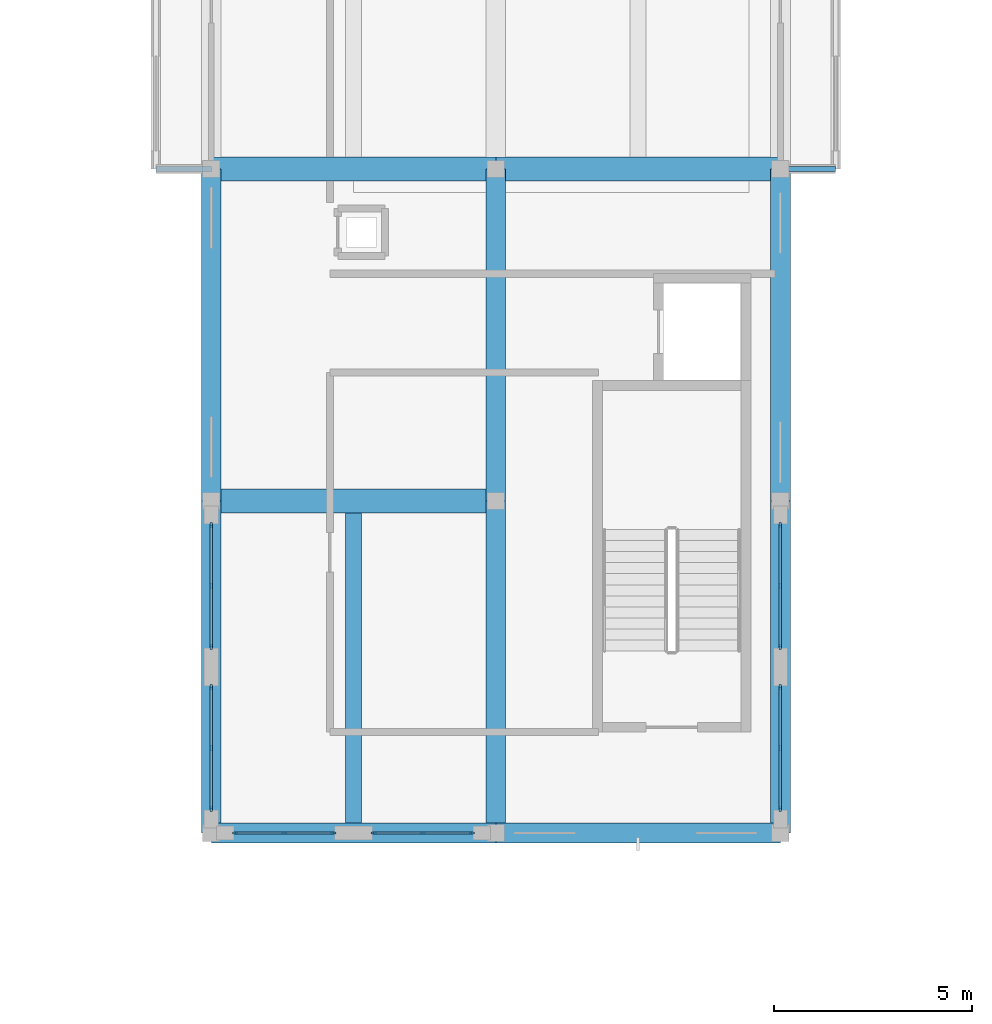
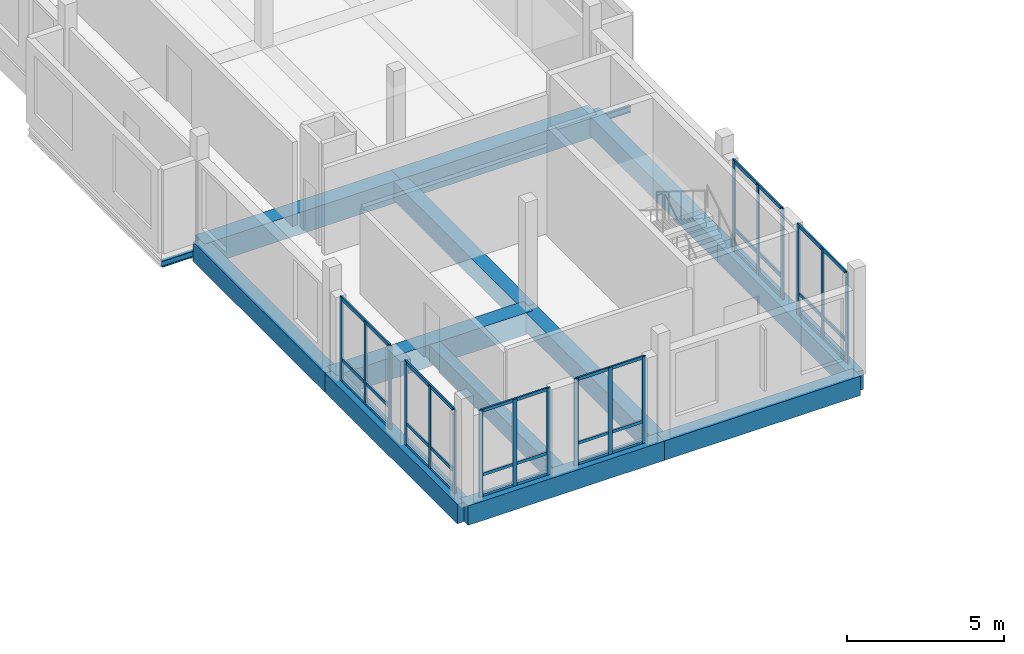
# One storey, part 28 of 99: 36 members, 14 beams, 6 elements without a shape of their own.
"""IFC4 building model written with IfcOpenShell, lengths in metres."""

from ifc_helpers import new_model, si_unit, direction, frame, origin, origin_2d, place, context, subcontext, project, spatial, rectangle, i_section, extrude, material, material_profile, profile_set, type_object, element, aggregate, save


model = new_model("IFC4")

# Units and contexts
model_context = context("Model", 3, precision=1e-05, world=origin(), true_north=direction((0.0, 1.0)))
body_context = subcontext(model_context, "Body", "Model", "MODEL_VIEW")
ifc_project = project(units=[si_unit("LENGTHUNIT", "METRE"), si_unit("AREAUNIT", "SQUARE_METRE"), si_unit("VOLUMEUNIT", "CUBIC_METRE"), si_unit("PLANEANGLEUNIT", "RADIAN"), si_unit("MASSUNIT", "GRAM", prefix="KILO")], contexts=[model_context])

# Site, building, storey
site_placement = place(None, origin())
site = spatial("IfcSite", under=ifc_project, at=site_placement, CompositionType="ELEMENT")
building_placement = place(site_placement, origin())
building = spatial("IfcBuilding", under=site, at=building_placement, Name="Kahlenmark Community Centre", CompositionType="ELEMENT")
storey_placement = place(building_placement, frame((0.0, 0.0, 5.39990234375)))
storey = spatial("IfcBuildingStorey", under=building, at=storey_placement, Name="L01", CompositionType="ELEMENT", Elevation=5.39990234375)

# Beams
ifc_material_1 = material(Name="Steel S355", Category="steel")
ifc_material_profile_1 = material_profile(ifc_material_1, i_section(OverallWidth=0.1201171875, OverallDepth=0.239990234375, WebThickness=0.006103515625, FlangeThickness=0.009765625, at=origin_2d()), Name="IPE 240")
ifc_profile_set_1 = profile_set([ifc_material_profile_1], Name="Steel S355")
beam_type_1 = type_object("IfcBeamType", Name="BT-BEAM-IPE240", PredefinedType="BEAM", material=ifc_profile_set_1)
for number, where, z_axis, x_axis, name in (
    (1, (86.800048828125, 67.60009765625, -0.43994140625), (1.0, 0.0, 0.0), (0.0, 1.0, 0.0), "L01 beam BG-IPE240"),
    (2, (71.0, 67.60009765625, -0.43994140625), (1.0, 0.0, 0.0), (0.0, 1.0, 0.0), "L01 beam BG-IPE240"),
):
    element("IfcBeam", number, at=place(storey_placement, frame(where, z_axis=z_axis, x_axis=x_axis)), inside=storey, type_object=beam_type_1, Name=name, PredefinedType="BEAM", context=body_context, shape_type="SweptSolid", body=[
        extrude(i_section(OverallWidth=0.1201171875, OverallDepth=0.239990234375, WebThickness=0.006103515625, FlangeThickness=0.009765625, at=origin_2d()), origin(), (0.0, 0.0, 1.0), 1.39990234375),
    ])
ifc_material_2 = material(Name="Concrete C35/45", Category="concrete")
ifc_material_profile_2 = material_profile(ifc_material_2, rectangle(XDim=0.5, YDim=0.75, at=origin_2d()), Name="RC 500x750")
ifc_profile_set_2 = profile_set([ifc_material_profile_2], Name="Concrete C35/45")
beam_type_2 = type_object("IfcBeamType", Name="BT-BEAM-RC500x750", PredefinedType="BEAM", material=ifc_profile_set_2)
beam_1_placement = place(storey_placement, frame((79.60009765625, 50.800048828125, -0.375), z_axis=(0.0, 1.0, 0.0), x_axis=(-1.0, 0.0, 0.0)))
element("IfcBeam", 3, at=beam_1_placement, inside=storey, type_object=beam_type_2, Name="L01 beam BG-RC500x750", PredefinedType="BEAM", context=body_context, shape_type="SweptSolid", body=[
    extrude(rectangle(XDim=0.5, YDim=0.75, at=origin_2d()), origin(), (0.0, 0.0, 1.0), 8.39990234375),
])
beam_2_placement = place(storey_placement, frame((79.60009765625, 59.199951171875, -0.375), z_axis=(0.0, 1.0, 0.0), x_axis=(-1.0, 0.0, 0.0)))
element("IfcBeam", 4, at=beam_2_placement, inside=storey, type_object=beam_type_2, Name="L01 beam BG-RC500x750", PredefinedType="BEAM", context=body_context, shape_type="SweptSolid", body=[
    extrude(rectangle(XDim=0.5, YDim=0.75, at=origin_2d()), origin(), (0.0, 0.0, 1.0), 8.400146484375),
])
ifc_material_profile_3 = material_profile(ifc_material_2, rectangle(XDim=0.60009765625, YDim=0.85009765625, at=origin_2d()), Name="RC 600x850")
ifc_profile_set_3 = profile_set([ifc_material_profile_3], Name="Concrete C35/45")
beam_type_3 = type_object("IfcBeamType", Name="BT-BEAM-RC600x850", PredefinedType="BEAM", material=ifc_profile_set_3)
for number, where, z_axis, x_axis, name in (
    (5, (72.39990234375, 59.199951171875, -0.4248046875), (1.0, 0.0, 0.0), (0.0, 1.0, 0.0), "L01 beam BG-RC600x850"),
    (6, (72.39990234375, 67.60009765625, -0.4248046875), (1.0, 0.0, 0.0), (0.0, 1.0, 0.0), "L01 beam BG-RC600x850"),
):
    element("IfcBeam", number, at=place(storey_placement, frame(where, z_axis=z_axis, x_axis=x_axis)), inside=storey, type_object=beam_type_3, Name=name, PredefinedType="BEAM", context=body_context, shape_type="SweptSolid", body=[
        extrude(rectangle(XDim=0.60009765625, YDim=0.85009765625, at=origin_2d()), origin(), (0.0, 0.0, 1.0), 7.2001953125),
    ])
beam_3_placement = place(storey_placement, frame((79.60009765625, 67.60009765625, -0.4248046875), z_axis=(1.0, 0.0, 0.0), x_axis=(0.0, 1.0, 0.0)))
element("IfcBeam", 7, at=beam_3_placement, inside=storey, type_object=beam_type_3, Name="L01 beam BG-RC600x850", PredefinedType="BEAM", context=body_context, shape_type="SweptSolid", body=[
    extrude(rectangle(XDim=0.60009765625, YDim=0.85009765625, at=origin_2d()), origin(), (0.0, 0.0, 1.0), 7.199951171875),
])
ifc_material_profile_4 = material_profile(ifc_material_2, rectangle(XDim=0.39990234375, YDim=0.64990234375, at=origin_2d()), Name="RC 400x650")
ifc_profile_set_4 = profile_set([ifc_material_profile_4], Name="Concrete C35/45")
beam_type_4 = type_object("IfcBeamType", Name="BT-JOIST-RC400x650", PredefinedType="JOIST", material=ifc_profile_set_4)
beam_4_placement = place(storey_placement, frame((76.0, 51.048095703125, -0.324951171875), z_axis=(0.0, 1.0, 0.0), x_axis=(-1.0, 0.0, 0.0)))
element("IfcBeam", 8, at=beam_4_placement, inside=storey, type_object=beam_type_4, Name="L01 joist BJ-RC400x650", PredefinedType="JOIST", context=body_context, shape_type="SweptSolid", body=[
    extrude(rectangle(XDim=0.39990234375, YDim=0.64990234375, at=origin_2d()), origin(), (0.0, 0.0, 1.0), 7.85400390625),
])
ifc_material_profile_5 = material_profile(ifc_material_2, rectangle(XDim=0.5, YDim=0.75, at=origin_2d()), Name="RC 500x750")
ifc_profile_set_5 = profile_set([ifc_material_profile_5], Name="Concrete C35/45")
beam_type_5 = type_object("IfcBeamType", Name="BT-SPANDREL-RC500x750", PredefinedType="SPANDREL", material=ifc_profile_set_5)
beam_5_placement = place(storey_placement, frame((72.39990234375, 50.800048828125, -0.375), z_axis=(1.0, 0.0, 0.0), x_axis=(0.0, 1.0, 0.0)))
element("IfcBeam", 9, at=beam_5_placement, inside=storey, type_object=beam_type_5, Name="L01 spandrel SP-RC500x750", PredefinedType="SPANDREL", context=body_context, shape_type="SweptSolid", body=[
    extrude(rectangle(XDim=0.5, YDim=0.75, at=origin_2d()), origin(), (0.0, 0.0, 1.0), 7.2001953125),
])
beam_6_placement = place(storey_placement, frame((79.60009765625, 50.800048828125, -0.375), z_axis=(1.0, 0.0, 0.0), x_axis=(0.0, 1.0, 0.0)))
element("IfcBeam", 10, at=beam_6_placement, inside=storey, type_object=beam_type_5, Name="L01 spandrel SP-RC500x750", PredefinedType="SPANDREL", context=body_context, shape_type="SweptSolid", body=[
    extrude(rectangle(XDim=0.5, YDim=0.75, at=origin_2d()), origin(), (0.0, 0.0, 1.0), 7.199951171875),
])
beam_7_placement = place(storey_placement, frame((72.39990234375, 50.800048828125, -0.375), z_axis=(0.0, 1.0, 0.0), x_axis=(-1.0, 0.0, 0.0)))
element("IfcBeam", 11, at=beam_7_placement, inside=storey, type_object=beam_type_5, Name="L01 spandrel SP-RC500x750", PredefinedType="SPANDREL", context=body_context, shape_type="SweptSolid", body=[
    extrude(rectangle(XDim=0.5, YDim=0.75, at=origin_2d()), origin(), (0.0, 0.0, 1.0), 8.39990234375),
])
beam_8_placement = place(storey_placement, frame((72.39990234375, 59.199951171875, -0.375), z_axis=(0.0, 1.0, 0.0), x_axis=(-1.0, 0.0, 0.0)))
element("IfcBeam", 12, at=beam_8_placement, inside=storey, type_object=beam_type_5, Name="L01 spandrel SP-RC500x750", PredefinedType="SPANDREL", context=body_context, shape_type="SweptSolid", body=[
    extrude(rectangle(XDim=0.5, YDim=0.75, at=origin_2d()), origin(), (0.0, 0.0, 1.0), 8.400146484375),
])
beam_9_placement = place(storey_placement, frame((86.800048828125, 50.800048828125, -0.375), z_axis=(0.0, 1.0, 0.0), x_axis=(-1.0, 0.0, 0.0)))
element("IfcBeam", 13, at=beam_9_placement, inside=storey, type_object=beam_type_5, Name="L01 spandrel SP-RC500x750", PredefinedType="SPANDREL", context=body_context, shape_type="SweptSolid", body=[
    extrude(rectangle(XDim=0.5, YDim=0.75, at=origin_2d()), origin(), (0.0, 0.0, 1.0), 8.39990234375),
])
beam_10_placement = place(storey_placement, frame((86.800048828125, 59.199951171875, -0.375), z_axis=(0.0, 1.0, 0.0), x_axis=(-1.0, 0.0, 0.0)))
element("IfcBeam", 14, at=beam_10_placement, inside=storey, type_object=beam_type_5, Name="L01 spandrel SP-RC500x750", PredefinedType="SPANDREL", context=body_context, shape_type="SweptSolid", body=[
    extrude(rectangle(XDim=0.5, YDim=0.75, at=origin_2d()), origin(), (0.0, 0.0, 1.0), 8.400146484375),
])

# Curtain wall, members
ifc_material_3 = material(Name="Anodised aluminium unitised curtain wall", Category="aluminium")
curtain_wall_type_1 = type_object("IfcCurtainWallType", Name="CWT-UNIT-254X337", PredefinedType="USERDEFINED", material=ifc_material_3)
curtain_wall_1_placement = place(storey_placement, origin())
curtain_wall_1 = element("IfcCurtainWall", 15, at=curtain_wall_1_placement, inside=storey, type_object=curtain_wall_type_1, Name="Unitised curtain wall CW-040", ObjectType="UNITISED CURTAIN WALL", PredefinedType="USERDEFINED")
ifc_material_4 = material(Name="Anodised aluminium 6063-T6", Category="aluminium")
ifc_material_profile_6 = material_profile(ifc_material_4, rectangle(XDim=0.06005859375, YDim=0.139892578125, at=origin_2d()), Name="ALU MULLION 60x140")
ifc_profile_set_6 = profile_set([ifc_material_profile_6], Name="Anodised aluminium 6063-T6")
member_type_1 = type_object("IfcMemberType", Name="MT-MUL-140", PredefinedType="MULLION", material=ifc_profile_set_6)
member_1_placement = place(storey_placement, frame((73.010009765625, 50.800048828125, 0.0), z_axis=(0.0, 0.0, 1.0), x_axis=(0.0, 1.0, 0.0)))
member_1 = element("IfcMember", 16, at=member_1_placement, type_object=member_type_1, Name="CW-040 mullion 1", PredefinedType="MULLION", context=body_context, shape_type="SweptSolid", body=[
    extrude(rectangle(XDim=0.06005859375, YDim=0.139892578125, at=origin_2d()), origin(), (0.0, 0.0, 1.0), 3.3701171875),
])
member_2_placement = place(storey_placement, frame((74.25, 50.800048828125, 0.0), z_axis=(0.0, 0.0, 1.0), x_axis=(0.0, 1.0, 0.0)))
member_2 = element("IfcMember", 17, at=member_2_placement, type_object=member_type_1, Name="CW-040 mullion 2", PredefinedType="MULLION", context=body_context, shape_type="SweptSolid", body=[
    extrude(rectangle(XDim=0.06005859375, YDim=0.139892578125, at=origin_2d()), origin(), (0.0, 0.0, 1.0), 3.3701171875),
])
member_3_placement = place(storey_placement, frame((75.489990234375, 50.800048828125, 0.0), z_axis=(0.0, 0.0, 1.0), x_axis=(0.0, 1.0, 0.0)))
member_3 = element("IfcMember", 18, at=member_3_placement, type_object=member_type_1, Name="CW-040 mullion 3", PredefinedType="MULLION", context=body_context, shape_type="SweptSolid", body=[
    extrude(rectangle(XDim=0.06005859375, YDim=0.139892578125, at=origin_2d()), origin(), (0.0, 0.0, 1.0), 3.3701171875),
])

curtain_wall_2_placement = place(storey_placement, origin())
curtain_wall_2 = element("IfcCurtainWall", 19, at=curtain_wall_2_placement, inside=storey, type_object=curtain_wall_type_1, Name="Unitised curtain wall CW-041", ObjectType="UNITISED CURTAIN WALL", PredefinedType="USERDEFINED")
member_4_placement = place(storey_placement, frame((76.510009765625, 50.800048828125, 0.0), z_axis=(0.0, 0.0, 1.0), x_axis=(0.0, 1.0, 0.0)))
member_4 = element("IfcMember", 20, at=member_4_placement, type_object=member_type_1, Name="CW-041 mullion 1", PredefinedType="MULLION", context=body_context, shape_type="SweptSolid", body=[
    extrude(rectangle(XDim=0.06005859375, YDim=0.139892578125, at=origin_2d()), origin(), (0.0, 0.0, 1.0), 3.3701171875),
])
member_5_placement = place(storey_placement, frame((77.75, 50.800048828125, 0.0), z_axis=(0.0, 0.0, 1.0), x_axis=(0.0, 1.0, 0.0)))
member_5 = element("IfcMember", 21, at=member_5_placement, type_object=member_type_1, Name="CW-041 mullion 2", PredefinedType="MULLION", context=body_context, shape_type="SweptSolid", body=[
    extrude(rectangle(XDim=0.06005859375, YDim=0.139892578125, at=origin_2d()), origin(), (0.0, 0.0, 1.0), 3.3701171875),
])
member_6_placement = place(storey_placement, frame((78.989990234375, 50.800048828125, 0.0), z_axis=(0.0, 0.0, 1.0), x_axis=(0.0, 1.0, 0.0)))
member_6 = element("IfcMember", 22, at=member_6_placement, type_object=member_type_1, Name="CW-041 mullion 3", PredefinedType="MULLION", context=body_context, shape_type="SweptSolid", body=[
    extrude(rectangle(XDim=0.06005859375, YDim=0.139892578125, at=origin_2d()), origin(), (0.0, 0.0, 1.0), 3.3701171875),
])

curtain_wall_type_2 = type_object("IfcCurtainWallType", Name="CWT-UNIT-314X325", PredefinedType="USERDEFINED", material=ifc_material_3)
curtain_wall_3_placement = place(storey_placement, origin())
curtain_wall_3 = element("IfcCurtainWall", 23, at=curtain_wall_3_placement, inside=storey, type_object=curtain_wall_type_2, Name="Unitised curtain wall CW-042", ObjectType="UNITISED CURTAIN WALL", PredefinedType="USERDEFINED")
member_7_placement = place(storey_placement, frame((72.39990234375, 58.590087890625, 0.0), z_axis=(0.0, 0.0, 1.0), x_axis=(1.0, 0.0, 0.0)))
member_7 = element("IfcMember", 24, at=member_7_placement, type_object=member_type_1, Name="CW-042 mullion 1", PredefinedType="MULLION", context=body_context, shape_type="SweptSolid", body=[
    extrude(rectangle(XDim=0.06005859375, YDim=0.139892578125, at=origin_2d()), origin(), (0.0, 0.0, 1.0), 3.25),
])
member_8_placement = place(storey_placement, frame((72.39990234375, 57.050048828125, 0.0), z_axis=(0.0, 0.0, 1.0), x_axis=(1.0, 0.0, 0.0)))
member_8 = element("IfcMember", 25, at=member_8_placement, type_object=member_type_1, Name="CW-042 mullion 2", PredefinedType="MULLION", context=body_context, shape_type="SweptSolid", body=[
    extrude(rectangle(XDim=0.06005859375, YDim=0.139892578125, at=origin_2d()), origin(), (0.0, 0.0, 1.0), 3.25),
])
member_9_placement = place(storey_placement, frame((72.39990234375, 55.510009765625, 0.0), z_axis=(0.0, 0.0, 1.0), x_axis=(1.0, 0.0, 0.0)))
member_9 = element("IfcMember", 26, at=member_9_placement, type_object=member_type_1, Name="CW-042 mullion 3", PredefinedType="MULLION", context=body_context, shape_type="SweptSolid", body=[
    extrude(rectangle(XDim=0.06005859375, YDim=0.139892578125, at=origin_2d()), origin(), (0.0, 0.0, 1.0), 3.25),
])

curtain_wall_4_placement = place(storey_placement, origin())
curtain_wall_4 = element("IfcCurtainWall", 27, at=curtain_wall_4_placement, inside=storey, type_object=curtain_wall_type_2, Name="Unitised curtain wall CW-043", ObjectType="UNITISED CURTAIN WALL", PredefinedType="USERDEFINED")
member_10_placement = place(storey_placement, frame((72.39990234375, 54.489990234375, 0.0), z_axis=(0.0, 0.0, 1.0), x_axis=(1.0, 0.0, 0.0)))
member_10 = element("IfcMember", 28, at=member_10_placement, type_object=member_type_1, Name="CW-043 mullion 1", PredefinedType="MULLION", context=body_context, shape_type="SweptSolid", body=[
    extrude(rectangle(XDim=0.06005859375, YDim=0.139892578125, at=origin_2d()), origin(), (0.0, 0.0, 1.0), 3.25),
])
member_11_placement = place(storey_placement, frame((72.39990234375, 52.949951171875, 0.0), z_axis=(0.0, 0.0, 1.0), x_axis=(1.0, 0.0, 0.0)))
member_11 = element("IfcMember", 29, at=member_11_placement, type_object=member_type_1, Name="CW-043 mullion 2", PredefinedType="MULLION", context=body_context, shape_type="SweptSolid", body=[
    extrude(rectangle(XDim=0.06005859375, YDim=0.139892578125, at=origin_2d()), origin(), (0.0, 0.0, 1.0), 3.25),
])
member_12_placement = place(storey_placement, frame((72.39990234375, 51.409912109375, 0.0), z_axis=(0.0, 0.0, 1.0), x_axis=(1.0, 0.0, 0.0)))
member_12 = element("IfcMember", 30, at=member_12_placement, type_object=member_type_1, Name="CW-043 mullion 3", PredefinedType="MULLION", context=body_context, shape_type="SweptSolid", body=[
    extrude(rectangle(XDim=0.06005859375, YDim=0.139892578125, at=origin_2d()), origin(), (0.0, 0.0, 1.0), 3.25),
])

curtain_wall_type_3 = type_object("IfcCurtainWallType", Name="CWT-UNIT-314X352", PredefinedType="USERDEFINED", material=ifc_material_3)
curtain_wall_5_placement = place(storey_placement, origin())
curtain_wall_5 = element("IfcCurtainWall", 31, at=curtain_wall_5_placement, inside=storey, type_object=curtain_wall_type_3, Name="Unitised curtain wall CW-044", ObjectType="UNITISED CURTAIN WALL", PredefinedType="USERDEFINED")
member_13_placement = place(storey_placement, frame((86.800048828125, 51.409912109375, 0.0), z_axis=(0.0, 0.0, 1.0), x_axis=(-1.0, 0.0, 0.0)))
member_13 = element("IfcMember", 32, at=member_13_placement, type_object=member_type_1, Name="CW-044 mullion 1", PredefinedType="MULLION", context=body_context, shape_type="SweptSolid", body=[
    extrude(rectangle(XDim=0.06005859375, YDim=0.139892578125, at=origin_2d()), origin(), (0.0, 0.0, 1.0), 3.52001953125),
])
member_14_placement = place(storey_placement, frame((86.800048828125, 52.949951171875, 0.0), z_axis=(0.0, 0.0, 1.0), x_axis=(-1.0, 0.0, 0.0)))
member_14 = element("IfcMember", 33, at=member_14_placement, type_object=member_type_1, Name="CW-044 mullion 2", PredefinedType="MULLION", context=body_context, shape_type="SweptSolid", body=[
    extrude(rectangle(XDim=0.06005859375, YDim=0.139892578125, at=origin_2d()), origin(), (0.0, 0.0, 1.0), 3.52001953125),
])
member_15_placement = place(storey_placement, frame((86.800048828125, 54.489990234375, 0.0), z_axis=(0.0, 0.0, 1.0), x_axis=(-1.0, 0.0, 0.0)))
member_15 = element("IfcMember", 34, at=member_15_placement, type_object=member_type_1, Name="CW-044 mullion 3", PredefinedType="MULLION", context=body_context, shape_type="SweptSolid", body=[
    extrude(rectangle(XDim=0.06005859375, YDim=0.139892578125, at=origin_2d()), origin(), (0.0, 0.0, 1.0), 3.52001953125),
])

curtain_wall_6_placement = place(storey_placement, origin())
curtain_wall_6 = element("IfcCurtainWall", 35, at=curtain_wall_6_placement, inside=storey, type_object=curtain_wall_type_3, Name="Unitised curtain wall CW-045", ObjectType="UNITISED CURTAIN WALL", PredefinedType="USERDEFINED")
member_16_placement = place(storey_placement, frame((86.800048828125, 55.510009765625, 0.0), z_axis=(0.0, 0.0, 1.0), x_axis=(-1.0, 0.0, 0.0)))
member_16 = element("IfcMember", 36, at=member_16_placement, type_object=member_type_1, Name="CW-045 mullion 1", PredefinedType="MULLION", context=body_context, shape_type="SweptSolid", body=[
    extrude(rectangle(XDim=0.06005859375, YDim=0.139892578125, at=origin_2d()), origin(), (0.0, 0.0, 1.0), 3.52001953125),
])
member_17_placement = place(storey_placement, frame((86.800048828125, 57.050048828125, 0.0), z_axis=(0.0, 0.0, 1.0), x_axis=(-1.0, 0.0, 0.0)))
member_17 = element("IfcMember", 37, at=member_17_placement, type_object=member_type_1, Name="CW-045 mullion 2", PredefinedType="MULLION", context=body_context, shape_type="SweptSolid", body=[
    extrude(rectangle(XDim=0.06005859375, YDim=0.139892578125, at=origin_2d()), origin(), (0.0, 0.0, 1.0), 3.52001953125),
])
member_18_placement = place(storey_placement, frame((86.800048828125, 58.590087890625, 0.0), z_axis=(0.0, 0.0, 1.0), x_axis=(-1.0, 0.0, 0.0)))
member_18 = element("IfcMember", 38, at=member_18_placement, type_object=member_type_1, Name="CW-045 mullion 3", PredefinedType="MULLION", context=body_context, shape_type="SweptSolid", body=[
    extrude(rectangle(XDim=0.06005859375, YDim=0.139892578125, at=origin_2d()), origin(), (0.0, 0.0, 1.0), 3.52001953125),
])

# Member
ifc_material_profile_7 = material_profile(ifc_material_4, rectangle(XDim=0.06005859375, YDim=0.1201171875, at=origin_2d()), Name="ALU TRANSOM 60x120")
ifc_profile_set_7 = profile_set([ifc_material_profile_7], Name="Anodised aluminium 6063-T6")
member_type_2 = type_object("IfcMemberType", Name="MT-TRN-120", PredefinedType="USERDEFINED", material=ifc_profile_set_7)
member_19_placement = place(storey_placement, frame((73.010009765625, 50.800048828125, 0.0400390625), z_axis=(1.0, 0.0, 0.0), x_axis=(0.0, 1.0, 0.0)))
member_19 = element("IfcMember", 39, at=member_19_placement, type_object=member_type_2, Name="CW-040 transom 1", ObjectType="TRANSOM", PredefinedType="USERDEFINED", context=body_context, shape_type="SweptSolid", body=[
    extrude(rectangle(XDim=0.06005859375, YDim=0.1201171875, at=origin_2d()), origin(), (0.0, 0.0, 1.0), 2.47998046875),
])

member_20_placement = place(storey_placement, frame((73.010009765625, 50.800048828125, 0.85009765625), z_axis=(1.0, 0.0, 0.0), x_axis=(0.0, 1.0, 0.0)))
member_20 = element("IfcMember", 40, at=member_20_placement, type_object=member_type_2, Name="CW-040 transom 2", ObjectType="TRANSOM", PredefinedType="USERDEFINED", context=body_context, shape_type="SweptSolid", body=[
    extrude(rectangle(XDim=0.06005859375, YDim=0.1201171875, at=origin_2d()), origin(), (0.0, 0.0, 1.0), 2.47998046875),
])

member_21_placement = place(storey_placement, frame((73.010009765625, 50.800048828125, 3.330078125), z_axis=(1.0, 0.0, 0.0), x_axis=(0.0, 1.0, 0.0)))
member_21 = element("IfcMember", 41, at=member_21_placement, type_object=member_type_2, Name="CW-040 transom 3", ObjectType="TRANSOM", PredefinedType="USERDEFINED", context=body_context, shape_type="SweptSolid", body=[
    extrude(rectangle(XDim=0.06005859375, YDim=0.1201171875, at=origin_2d()), origin(), (0.0, 0.0, 1.0), 2.47998046875),
])

aggregate(curtain_wall_1, [member_1, member_2, member_3, member_19, member_20, member_21])

member_22_placement = place(storey_placement, frame((76.510009765625, 50.800048828125, 0.0400390625), z_axis=(1.0, 0.0, 0.0), x_axis=(0.0, 1.0, 0.0)))
member_22 = element("IfcMember", 42, at=member_22_placement, type_object=member_type_2, Name="CW-041 transom 1", ObjectType="TRANSOM", PredefinedType="USERDEFINED", context=body_context, shape_type="SweptSolid", body=[
    extrude(rectangle(XDim=0.06005859375, YDim=0.1201171875, at=origin_2d()), origin(), (0.0, 0.0, 1.0), 2.47998046875),
])

member_23_placement = place(storey_placement, frame((76.510009765625, 50.800048828125, 0.85009765625), z_axis=(1.0, 0.0, 0.0), x_axis=(0.0, 1.0, 0.0)))
member_23 = element("IfcMember", 43, at=member_23_placement, type_object=member_type_2, Name="CW-041 transom 2", ObjectType="TRANSOM", PredefinedType="USERDEFINED", context=body_context, shape_type="SweptSolid", body=[
    extrude(rectangle(XDim=0.06005859375, YDim=0.1201171875, at=origin_2d()), origin(), (0.0, 0.0, 1.0), 2.47998046875),
])

member_24_placement = place(storey_placement, frame((76.510009765625, 50.800048828125, 3.330078125), z_axis=(1.0, 0.0, 0.0), x_axis=(0.0, 1.0, 0.0)))
member_24 = element("IfcMember", 44, at=member_24_placement, type_object=member_type_2, Name="CW-041 transom 3", ObjectType="TRANSOM", PredefinedType="USERDEFINED", context=body_context, shape_type="SweptSolid", body=[
    extrude(rectangle(XDim=0.06005859375, YDim=0.1201171875, at=origin_2d()), origin(), (0.0, 0.0, 1.0), 2.47998046875),
])

aggregate(curtain_wall_2, [member_4, member_5, member_6, member_22, member_23, member_24])

ifc_material_profile_8 = material_profile(ifc_material_4, rectangle(XDim=0.06005859375, YDim=0.139892578125, at=origin_2d()), Name="ALU TRANSOM 60x140")
ifc_profile_set_8 = profile_set([ifc_material_profile_8], Name="Anodised aluminium 6063-T6")
member_type_3 = type_object("IfcMemberType", Name="MT-TRN-140", PredefinedType="USERDEFINED", material=ifc_profile_set_8)
member_25_placement = place(storey_placement, frame((72.39990234375, 58.590087890625, 0.0400390625), z_axis=(0.0, -1.0, 0.0), x_axis=(1.0, 0.0, 0.0)))
member_25 = element("IfcMember", 45, at=member_25_placement, type_object=member_type_3, Name="CW-042 transom 1", ObjectType="TRANSOM", PredefinedType="USERDEFINED", context=body_context, shape_type="SweptSolid", body=[
    extrude(rectangle(XDim=0.06005859375, YDim=0.139892578125, at=origin_2d()), origin(), (0.0, 0.0, 1.0), 3.080078125),
])

member_26_placement = place(storey_placement, frame((72.39990234375, 58.590087890625, 0.85009765625), z_axis=(0.0, -1.0, 0.0), x_axis=(1.0, 0.0, 0.0)))
member_26 = element("IfcMember", 46, at=member_26_placement, type_object=member_type_3, Name="CW-042 transom 2", ObjectType="TRANSOM", PredefinedType="USERDEFINED", context=body_context, shape_type="SweptSolid", body=[
    extrude(rectangle(XDim=0.06005859375, YDim=0.139892578125, at=origin_2d()), origin(), (0.0, 0.0, 1.0), 3.080078125),
])

member_27_placement = place(storey_placement, frame((72.39990234375, 58.590087890625, 3.210205078125), z_axis=(0.0, -1.0, 0.0), x_axis=(1.0, 0.0, 0.0)))
member_27 = element("IfcMember", 47, at=member_27_placement, type_object=member_type_3, Name="CW-042 transom 3", ObjectType="TRANSOM", PredefinedType="USERDEFINED", context=body_context, shape_type="SweptSolid", body=[
    extrude(rectangle(XDim=0.06005859375, YDim=0.139892578125, at=origin_2d()), origin(), (0.0, 0.0, 1.0), 3.080078125),
])

aggregate(curtain_wall_3, [member_7, member_8, member_9, member_25, member_26, member_27])

member_28_placement = place(storey_placement, frame((72.39990234375, 54.489990234375, 0.0400390625), z_axis=(0.0, -1.0, 0.0), x_axis=(1.0, 0.0, 0.0)))
member_28 = element("IfcMember", 48, at=member_28_placement, type_object=member_type_3, Name="CW-043 transom 1", ObjectType="TRANSOM", PredefinedType="USERDEFINED", context=body_context, shape_type="SweptSolid", body=[
    extrude(rectangle(XDim=0.06005859375, YDim=0.139892578125, at=origin_2d()), origin(), (0.0, 0.0, 1.0), 3.080078125),
])

member_29_placement = place(storey_placement, frame((72.39990234375, 54.489990234375, 0.85009765625), z_axis=(0.0, -1.0, 0.0), x_axis=(1.0, 0.0, 0.0)))
member_29 = element("IfcMember", 49, at=member_29_placement, type_object=member_type_3, Name="CW-043 transom 2", ObjectType="TRANSOM", PredefinedType="USERDEFINED", context=body_context, shape_type="SweptSolid", body=[
    extrude(rectangle(XDim=0.06005859375, YDim=0.139892578125, at=origin_2d()), origin(), (0.0, 0.0, 1.0), 3.080078125),
])

member_30_placement = place(storey_placement, frame((72.39990234375, 54.489990234375, 3.210205078125), z_axis=(0.0, -1.0, 0.0), x_axis=(1.0, 0.0, 0.0)))
member_30 = element("IfcMember", 50, at=member_30_placement, type_object=member_type_3, Name="CW-043 transom 3", ObjectType="TRANSOM", PredefinedType="USERDEFINED", context=body_context, shape_type="SweptSolid", body=[
    extrude(rectangle(XDim=0.06005859375, YDim=0.139892578125, at=origin_2d()), origin(), (0.0, 0.0, 1.0), 3.080078125),
])

aggregate(curtain_wall_4, [member_10, member_11, member_12, member_28, member_29, member_30])

member_31_placement = place(storey_placement, frame((86.800048828125, 51.409912109375, 0.0400390625), z_axis=(0.0, 1.0, 0.0), x_axis=(-1.0, 0.0, 0.0)))
member_31 = element("IfcMember", 51, at=member_31_placement, type_object=member_type_3, Name="CW-044 transom 1", ObjectType="TRANSOM", PredefinedType="USERDEFINED", context=body_context, shape_type="SweptSolid", body=[
    extrude(rectangle(XDim=0.06005859375, YDim=0.139892578125, at=origin_2d()), origin(), (0.0, 0.0, 1.0), 3.080078125),
])

member_32_placement = place(storey_placement, frame((86.800048828125, 51.409912109375, 0.85009765625), z_axis=(0.0, 1.0, 0.0), x_axis=(-1.0, 0.0, 0.0)))
member_32 = element("IfcMember", 52, at=member_32_placement, type_object=member_type_3, Name="CW-044 transom 2", ObjectType="TRANSOM", PredefinedType="USERDEFINED", context=body_context, shape_type="SweptSolid", body=[
    extrude(rectangle(XDim=0.06005859375, YDim=0.139892578125, at=origin_2d()), origin(), (0.0, 0.0, 1.0), 3.080078125),
])

member_33_placement = place(storey_placement, frame((86.800048828125, 51.409912109375, 3.47998046875), z_axis=(0.0, 1.0, 0.0), x_axis=(-1.0, 0.0, 0.0)))
member_33 = element("IfcMember", 53, at=member_33_placement, type_object=member_type_3, Name="CW-044 transom 3", ObjectType="TRANSOM", PredefinedType="USERDEFINED", context=body_context, shape_type="SweptSolid", body=[
    extrude(rectangle(XDim=0.06005859375, YDim=0.139892578125, at=origin_2d()), origin(), (0.0, 0.0, 1.0), 3.080078125),
])

aggregate(curtain_wall_5, [member_13, member_14, member_15, member_31, member_32, member_33])

member_34_placement = place(storey_placement, frame((86.800048828125, 55.510009765625, 0.0400390625), z_axis=(0.0, 1.0, 0.0), x_axis=(-1.0, 0.0, 0.0)))
member_34 = element("IfcMember", 54, at=member_34_placement, type_object=member_type_3, Name="CW-045 transom 1", ObjectType="TRANSOM", PredefinedType="USERDEFINED", context=body_context, shape_type="SweptSolid", body=[
    extrude(rectangle(XDim=0.06005859375, YDim=0.139892578125, at=origin_2d()), origin(), (0.0, 0.0, 1.0), 3.080078125),
])

member_35_placement = place(storey_placement, frame((86.800048828125, 55.510009765625, 0.85009765625), z_axis=(0.0, 1.0, 0.0), x_axis=(-1.0, 0.0, 0.0)))
member_35 = element("IfcMember", 55, at=member_35_placement, type_object=member_type_3, Name="CW-045 transom 2", ObjectType="TRANSOM", PredefinedType="USERDEFINED", context=body_context, shape_type="SweptSolid", body=[
    extrude(rectangle(XDim=0.06005859375, YDim=0.139892578125, at=origin_2d()), origin(), (0.0, 0.0, 1.0), 3.080078125),
])

member_36_placement = place(storey_placement, frame((86.800048828125, 55.510009765625, 3.47998046875), z_axis=(0.0, 1.0, 0.0), x_axis=(-1.0, 0.0, 0.0)))
member_36 = element("IfcMember", 56, at=member_36_placement, type_object=member_type_3, Name="CW-045 transom 3", ObjectType="TRANSOM", PredefinedType="USERDEFINED", context=body_context, shape_type="SweptSolid", body=[
    extrude(rectangle(XDim=0.06005859375, YDim=0.139892578125, at=origin_2d()), origin(), (0.0, 0.0, 1.0), 3.080078125),
])

aggregate(curtain_wall_6, [member_16, member_17, member_18, member_34, member_35, member_36])

save(model, "model.ifc")
